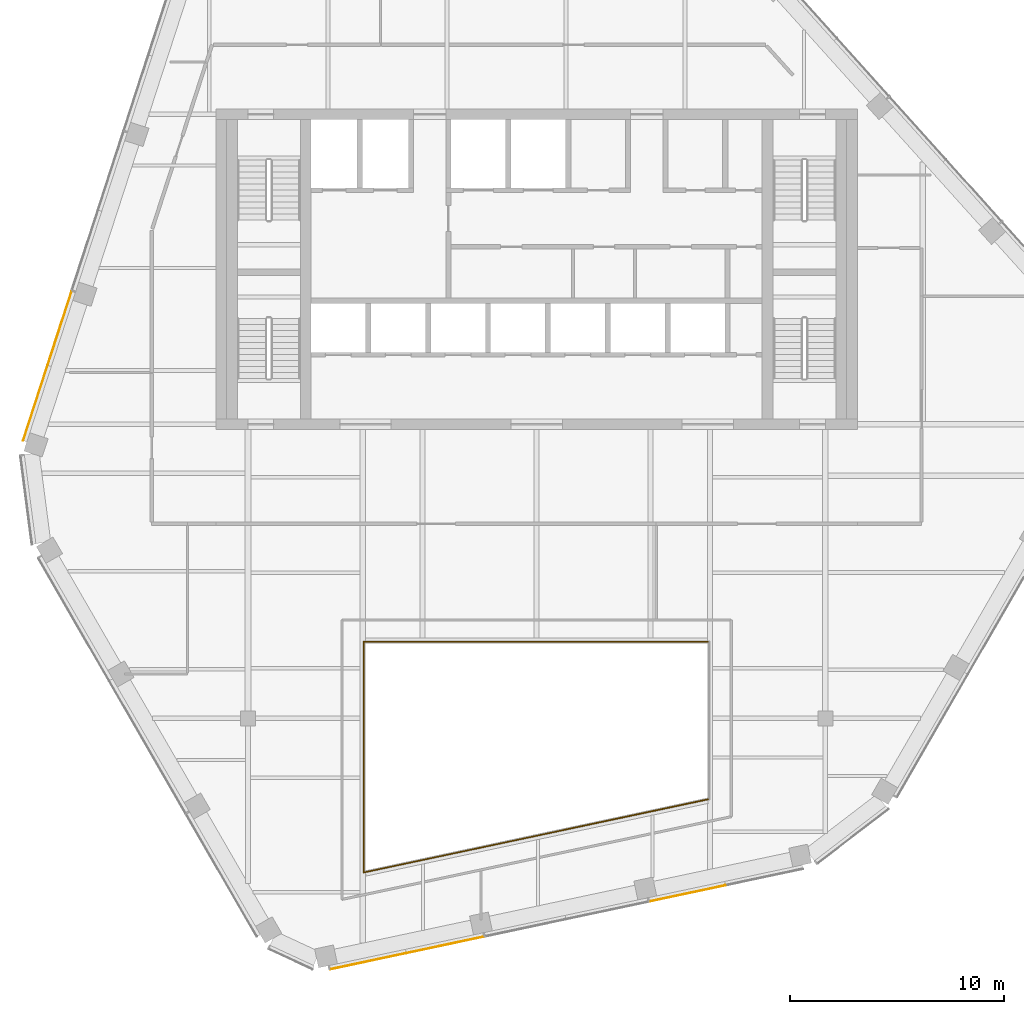
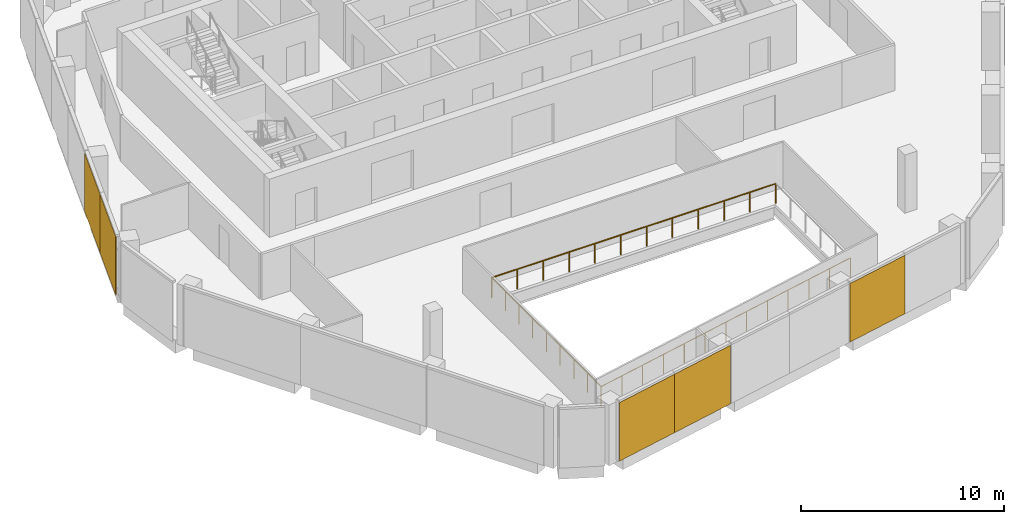
# One storey, part 11 of 15: 5 coverings, 3 railings, 2 elements without a shape of their own.
"""IFC4 building model written with IfcOpenShell, lengths in metres."""

from ifc_helpers import new_model, si_unit, direction, frame, origin, origin_2d, place, context, subcontext, project, spatial, rectangle, circle, extrude, material, layer, layer_set, type_object, element, aggregate, save


model = new_model("IFC4")

# Units and contexts
model_context = context("Model", 3, precision=1e-05, world=origin(), true_north=direction((0.0, 1.0)))
body_context = subcontext(model_context, "Body", "Model", "MODEL_VIEW")
ifc_project = project(units=[si_unit("LENGTHUNIT", "METRE"), si_unit("AREAUNIT", "SQUARE_METRE"), si_unit("VOLUMEUNIT", "CUBIC_METRE"), si_unit("PLANEANGLEUNIT", "RADIAN"), si_unit("MASSUNIT", "GRAM", prefix="KILO")], contexts=[model_context])

# Site, building, storey
site_placement = place(None, origin())
site = spatial("IfcSite", under=ifc_project, at=site_placement, CompositionType="ELEMENT")
building_placement = place(site_placement, origin())
building = spatial("IfcBuilding", under=site, at=building_placement, Name="Isthmus Gate Tower", CompositionType="ELEMENT")
storey_placement = place(building_placement, frame((0.0, 0.0, 293.800048828125)))
storey = spatial("IfcBuildingStorey", under=building, at=storey_placement, Name="L75", CompositionType="ELEMENT", Elevation=293.800048828125)

# Railings
ifc_material_1 = material(Name="Laminated toughened glass balustrade with steel rail", Category="steel")
railing_type = type_object("IfcRailingType", Name="ATRIUM GUARD GLASS BALUSTRADE 1200", PredefinedType="GUARDRAIL", material=ifc_material_1)
railing_1_placement = place(storey_placement, frame((-8.080078125, -20.7099609375, 0.0)))
element("IfcRailing", 1, at=railing_1_placement, inside=storey, type_object=railing_type, Name="L75 atrium guard", PredefinedType="GUARDRAIL", context=body_context, shape_type="SweptSolid", body=[
    extrude(circle(Radius=0.02490234375, at=origin_2d()), frame((0.0, 0.0, 1.1748046875), z_axis=(0.0, 1.0, 0.0), x_axis=(-1.0, 0.0, 0.0)), (0.0, 0.0, 1.0), 10.7900390625),
    extrude(circle(Radius=0.02490234375, at=origin_2d()), origin(), (0.0, 0.0, 1.0), 1.14990234375),
    extrude(circle(Radius=0.02490234375, at=origin_2d()), frame((0.0, 1.3486328125, 0.0)), (0.0, 0.0, 1.0), 1.14990234375),
    extrude(circle(Radius=0.02490234375, at=origin_2d()), frame((0.0, 2.697509765625, 0.0)), (0.0, 0.0, 1.0), 1.14990234375),
    extrude(circle(Radius=0.02490234375, at=origin_2d()), frame((0.0, 4.04638671875, 0.0)), (0.0, 0.0, 1.0), 1.14990234375),
    extrude(circle(Radius=0.02490234375, at=origin_2d()), frame((0.0, 5.39501953125, 0.0)), (0.0, 0.0, 1.0), 1.14990234375),
    extrude(circle(Radius=0.02490234375, at=origin_2d()), frame((0.0, 6.74365234375, 0.0)), (0.0, 0.0, 1.0), 1.14990234375),
    extrude(circle(Radius=0.02490234375, at=origin_2d()), frame((0.0, 8.092529296875, 0.0)), (0.0, 0.0, 1.0), 1.14990234375),
    extrude(circle(Radius=0.02490234375, at=origin_2d()), frame((0.0, 9.44140625, 0.0)), (0.0, 0.0, 1.0), 1.14990234375),
    extrude(circle(Radius=0.02490234375, at=origin_2d()), frame((0.0, 10.7900390625, 0.0)), (0.0, 0.0, 1.0), 1.14990234375),
])
railing_2_placement = place(storey_placement, frame((-8.080078125, -9.919921875, 0.0)))
element("IfcRailing", 2, at=railing_2_placement, inside=storey, type_object=railing_type, Name="L75 atrium guard", PredefinedType="GUARDRAIL", context=body_context, shape_type="SweptSolid", body=[
    extrude(circle(Radius=0.02490234375, at=origin_2d()), frame((0.0, 0.0, 1.1748046875), z_axis=(1.0, 0.0, 0.0), x_axis=(0.0, 1.0, 0.0)), (0.0, 0.0, 1.0), 16.16015625),
    extrude(circle(Radius=0.02490234375, at=origin_2d()), origin(), (0.0, 0.0, 1.0), 1.14990234375),
    extrude(circle(Radius=0.02490234375, at=origin_2d()), frame((1.468994140625, 0.0, 0.0)), (0.0, 0.0, 1.0), 1.14990234375),
    extrude(circle(Radius=0.02490234375, at=origin_2d()), frame((2.938232421875, 0.0, 0.0)), (0.0, 0.0, 1.0), 1.14990234375),
    extrude(circle(Radius=0.02490234375, at=origin_2d()), frame((4.4072265625, 0.0, 0.0)), (0.0, 0.0, 1.0), 1.14990234375),
    extrude(circle(Radius=0.02490234375, at=origin_2d()), frame((5.87646484375, 0.0, 0.0)), (0.0, 0.0, 1.0), 1.14990234375),
    extrude(circle(Radius=0.02490234375, at=origin_2d()), frame((7.345458984375, 0.0, 0.0)), (0.0, 0.0, 1.0), 1.14990234375),
    extrude(circle(Radius=0.02490234375, at=origin_2d()), frame((8.814697265625, 0.0, 0.0)), (0.0, 0.0, 1.0), 1.14990234375),
    extrude(circle(Radius=0.02490234375, at=origin_2d()), frame((10.28369140625, 0.0, 0.0)), (0.0, 0.0, 1.0), 1.14990234375),
    extrude(circle(Radius=0.02490234375, at=origin_2d()), frame((11.7529296875, 0.0, 0.0)), (0.0, 0.0, 1.0), 1.14990234375),
    extrude(circle(Radius=0.02490234375, at=origin_2d()), frame((13.221923828125, 0.0, 0.0)), (0.0, 0.0, 1.0), 1.14990234375),
    extrude(circle(Radius=0.02490234375, at=origin_2d()), frame((14.691162109375, 0.0, 0.0)), (0.0, 0.0, 1.0), 1.14990234375),
    extrude(circle(Radius=0.02490234375, at=origin_2d()), frame((16.16015625, 0.0, 0.0)), (0.0, 0.0, 1.0), 1.14990234375),
])
railing_3_placement = place(storey_placement, frame((8.080078125, -17.27490234375, 0.0)))
element("IfcRailing", 3, at=railing_3_placement, inside=storey, type_object=railing_type, Name="L75 atrium guard", PredefinedType="GUARDRAIL", context=body_context, shape_type="SweptSolid", body=[
    extrude(circle(Radius=0.02490234375, at=origin_2d()), frame((0.0, 0.0, 1.1748046875), z_axis=(-0.978146230105, -0.207918139013, 0.0), x_axis=(0.207918139013, -0.978146230105, 0.0)), (0.0, 0.0, 1.0), 16.521240234375),
    extrude(circle(Radius=0.02490234375, at=origin_2d()), origin(), (0.0, 0.0, 1.0), 1.14990234375),
    extrude(circle(Radius=0.02490234375, at=origin_2d()), frame((-1.3466796875, -0.2861328125, 0.0)), (0.0, 0.0, 1.0), 1.14990234375),
    extrude(circle(Radius=0.02490234375, at=origin_2d()), frame((-2.693359375, -0.572509765625, 0.0)), (0.0, 0.0, 1.0), 1.14990234375),
    extrude(circle(Radius=0.02490234375, at=origin_2d()), frame((-4.0400390625, -0.85888671875, 0.0)), (0.0, 0.0, 1.0), 1.14990234375),
    extrude(circle(Radius=0.02490234375, at=origin_2d()), frame((-5.38671875, -1.14501953125, 0.0)), (0.0, 0.0, 1.0), 1.14990234375),
    extrude(circle(Radius=0.02490234375, at=origin_2d()), frame((-6.7333984375, -1.43115234375, 0.0)), (0.0, 0.0, 1.0), 1.14990234375),
    extrude(circle(Radius=0.02490234375, at=origin_2d()), frame((-8.080078125, -1.717529296875, 0.0)), (0.0, 0.0, 1.0), 1.14990234375),
    extrude(circle(Radius=0.02490234375, at=origin_2d()), frame((-9.4267578125, -2.00390625, 0.0)), (0.0, 0.0, 1.0), 1.14990234375),
    extrude(circle(Radius=0.02490234375, at=origin_2d()), frame((-10.7734375, -2.2900390625, 0.0)), (0.0, 0.0, 1.0), 1.14990234375),
    extrude(circle(Radius=0.02490234375, at=origin_2d()), frame((-12.1201171875, -2.576171875, 0.0)), (0.0, 0.0, 1.0), 1.14990234375),
    extrude(circle(Radius=0.02490234375, at=origin_2d()), frame((-13.466796875, -2.862548828125, 0.0)), (0.0, 0.0, 1.0), 1.14990234375),
    extrude(circle(Radius=0.02490234375, at=origin_2d()), frame((-14.8134765625, -3.14892578125, 0.0)), (0.0, 0.0, 1.0), 1.14990234375),
    extrude(circle(Radius=0.02490234375, at=origin_2d()), frame((-16.16015625, -3.43505859375, 0.0)), (0.0, 0.0, 1.0), 1.14990234375),
])

# Curtain wall, coverings
ifc_material_2 = material(Name="Aluminium, pale champagne anodised", Category="aluminium")
ifc_layer_1 = layer(ifc_material_2, 0.199951171875)
ifc_layer_set_1 = layer_set([ifc_layer_1], Name="CW-1 UNITISED CURTAIN WALL 200 DEEP")
curtain_wall_type = type_object("IfcCurtainWallType", Name="CW-1 UNITISED CURTAIN WALL 200 DEEP", PredefinedType="NOTDEFINED", material=ifc_layer_set_1)
curtain_wall_1_placement = place(storey_placement, origin())
curtain_wall_1 = element("IfcCurtainWall", 4, at=curtain_wall_1_placement, inside=storey, type_object=curtain_wall_type, Name="CW-1 NW L75", PredefinedType="NOTDEFINED")
ifc_material_3 = material(Name="Aluminium composite panel, pale champagne anodised", Category="aluminium")
ifc_layer_2 = layer(ifc_material_3, 0.031982421875)
ifc_layer_set_2 = layer_set([ifc_layer_2], Name="CW-1 PALE METAL PANEL 32")
covering_type = type_object("IfcCoveringType", Name="CW-1 PALE METAL PANEL 32", PredefinedType="CLADDING", material=ifc_layer_set_2)
covering_1_placement = place(storey_placement, frame((-22.309326171875, 4.737548828125, 0.0), z_axis=(0.0, 0.0, 1.0), x_axis=(-0.309016994375, -0.951056516295, 0.0)))
covering_1 = element("IfcCovering", 5, at=covering_1_placement, type_object=covering_type, Name="CW-1 pale metal panel", PredefinedType="CLADDING", context=body_context, shape_type="SweptSolid", body=[
    extrude(rectangle(XDim=3.643310546875, YDim=0.031982421875, at=origin_2d()), origin(), (0.0, 0.0, 1.0), 3.52001953125),
])
covering_2_placement = place(storey_placement, frame((-23.4443359375, 1.244140625, 0.0), z_axis=(0.0, 0.0, 1.0), x_axis=(-0.309016994375, -0.951056516295, 0.0)))
covering_2 = element("IfcCovering", 6, at=covering_2_placement, type_object=covering_type, Name="CW-1 pale metal panel", PredefinedType="CLADDING", context=body_context, shape_type="SweptSolid", body=[
    extrude(rectangle(XDim=3.703369140625, YDim=0.031982421875, at=origin_2d()), origin(), (0.0, 0.0, 1.0), 3.52001953125),
])
aggregate(curtain_wall_1, [covering_1, covering_2])

curtain_wall_2_placement = place(storey_placement, origin())
curtain_wall_2 = element("IfcCurtainWall", 7, at=curtain_wall_2_placement, inside=storey, type_object=curtain_wall_type, Name="CW-1 S L75", PredefinedType="NOTDEFINED")
covering_3_placement = place(storey_placement, frame((-7.87841796875, -24.86279296875, 0.0), z_axis=(0.0, 0.0, 1.0), x_axis=(0.978147600734, 0.207911690818, 0.0)))
covering_3 = element("IfcCovering", 8, at=covering_3_placement, type_object=covering_type, Name="CW-1 pale metal panel", PredefinedType="CLADDING", context=body_context, shape_type="SweptSolid", body=[
    extrude(rectangle(XDim=3.643310546875, YDim=0.031982421875, at=origin_2d()), origin(), (0.0, 0.0, 1.0), 3.52001953125),
])
covering_4_placement = place(storey_placement, frame((-4.28515625, -24.098876953125, 0.0), z_axis=(0.0, 0.0, 1.0), x_axis=(0.978147600734, 0.207911690818, 0.0)))
covering_4 = element("IfcCovering", 9, at=covering_4_placement, type_object=covering_type, Name="CW-1 pale metal panel", PredefinedType="CLADDING", context=body_context, shape_type="SweptSolid", body=[
    extrude(rectangle(XDim=3.703369140625, YDim=0.031982421875, at=origin_2d()), origin(), (0.0, 0.0, 1.0), 3.52001953125),
])
covering_5_placement = place(storey_placement, frame((7.0517578125, -21.689208984375, 0.0), z_axis=(0.0, 0.0, 1.0), x_axis=(0.978147600734, 0.207911690818, 0.0)))
covering_5 = element("IfcCovering", 10, at=covering_5_placement, type_object=covering_type, Name="CW-1 pale metal panel", PredefinedType="CLADDING", context=body_context, shape_type="SweptSolid", body=[
    extrude(rectangle(XDim=3.643310546875, YDim=0.031982421875, at=origin_2d()), origin(), (0.0, 0.0, 1.0), 3.52001953125),
])
aggregate(curtain_wall_2, [covering_3, covering_4, covering_5])

save(model, "model.ifc")
